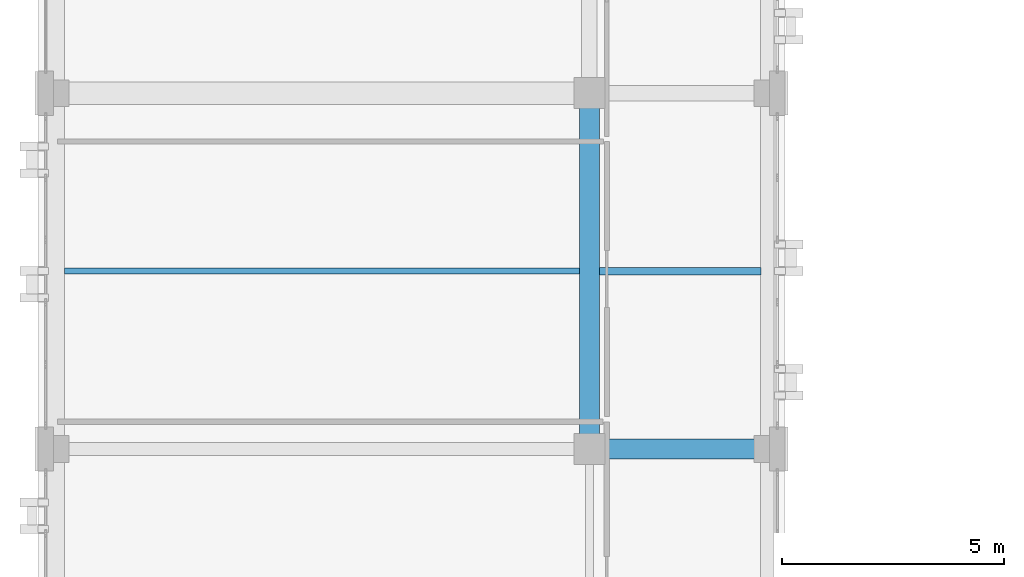
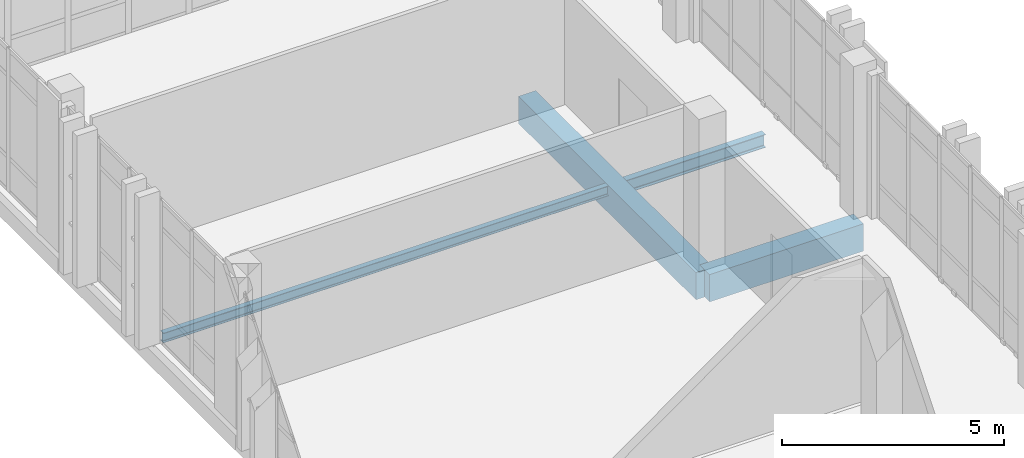
# One storey, part 14 of 48: 4 beams.
"""IFC4 building model written with IfcOpenShell, lengths in metres."""

from ifc_helpers import new_model, si_unit, direction, frame, origin, origin_2d, place, context, subcontext, project, spatial, rectangle, i_section, extrude, material, material_profile, profile_set, type_object, element, save


model = new_model("IFC4")

# Units and contexts
model_context = context("Model", 3, precision=1e-05, world=origin(), true_north=direction((0.0, 1.0)))
body_context = subcontext(model_context, "Body", "Model", "MODEL_VIEW")
ifc_project = project(units=[si_unit("LENGTHUNIT", "METRE"), si_unit("AREAUNIT", "SQUARE_METRE"), si_unit("VOLUMEUNIT", "CUBIC_METRE"), si_unit("PLANEANGLEUNIT", "RADIAN"), si_unit("MASSUNIT", "GRAM", prefix="KILO")], contexts=[model_context])

# Site, building, storey
site_placement = place(None, origin())
site = spatial("IfcSite", under=ifc_project, at=site_placement, CompositionType="ELEMENT")
building_placement = place(site_placement, origin())
building = spatial("IfcBuilding", under=site, at=building_placement, Name="Qalavern Law Courts", CompositionType="ELEMENT")
storey_placement = place(building_placement, frame((0.0, 0.0, 31.199951171875)))
storey = spatial("IfcBuildingStorey", under=building, at=storey_placement, Name="L07", CompositionType="ELEMENT", Elevation=31.199951171875)

# Beams
ifc_material_1 = material(Name="Concrete C40/50", Category="concrete")
ifc_material_profile_1 = material_profile(ifc_material_1, rectangle(XDim=0.449951171875, YDim=0.75, at=origin_2d()), Name="RC 450x750")
ifc_profile_set_1 = profile_set([ifc_material_profile_1], Name="Concrete C40/50")
beam_type_1 = type_object("IfcBeamType", Name="STR-BM-RC450x750", PredefinedType="BEAM", material=ifc_profile_set_1)
beam_1_placement = place(storey_placement, frame((14.39990234375, 65.39990234375, -0.639892578125), z_axis=(1.0, 0.0, 0.0), x_axis=(0.0, 1.0, 0.0)))
element("IfcBeam", 1, at=beam_1_placement, inside=storey, type_object=beam_type_1, Name="V3 X-beam 4-2 L07", PredefinedType="BEAM", context=body_context, shape_type="SweptSolid", body=[
    extrude(rectangle(XDim=0.449951171875, YDim=0.75, at=origin_2d()), origin(), (0.0, 0.0, 1.0), 4.0),
])
beam_2_placement = place(storey_placement, frame((14.39990234375, 65.39990234375, -0.639892578125), z_axis=(0.0, 1.0, 0.0), x_axis=(-1.0, 0.0, 0.0)))
element("IfcBeam", 2, at=beam_2_placement, inside=storey, type_object=beam_type_1, Name="V3 Y-beam 2-4 L07", PredefinedType="BEAM", context=body_context, shape_type="SweptSolid", body=[
    extrude(rectangle(XDim=0.449951171875, YDim=0.75, at=origin_2d()), origin(), (0.0, 0.0, 1.0), 8.0),
])
ifc_material_2 = material(Name="Steel S355", Category="steel")
ifc_material_profile_2 = material_profile(ifc_material_2, i_section(OverallWidth=0.135009765625, OverallDepth=0.27001953125, WebThickness=0.006591796875, FlangeThickness=0.01025390625, FilletRadius=0.014892578125, at=origin_2d()), Name="IPE 270")
ifc_profile_set_2 = profile_set([ifc_material_profile_2], Name="Steel S355")
beam_type_2 = type_object("IfcBeamType", Name="STR-JST-IPE270", PredefinedType="JOIST", material=ifc_profile_set_2)
beam_3_placement = place(storey_placement, frame((2.597900390625, 69.39990234375, -0.39990234375), z_axis=(1.0, 0.0, 0.0), x_axis=(0.0, 1.0, 0.0)))
element("IfcBeam", 3, at=beam_3_placement, inside=storey, type_object=beam_type_2, Name="V3 secondary joist 1.4.1 L07", PredefinedType="JOIST", context=body_context, shape_type="SweptSolid", body=[
    extrude(i_section(OverallWidth=0.135009765625, OverallDepth=0.27001953125, WebThickness=0.006591796875, FlangeThickness=0.01025390625, FilletRadius=0.014892578125, at=origin_2d()), origin(), (0.0, 0.0, 1.0), 11.5791015625),
])
ifc_material_profile_3 = material_profile(ifc_material_2, i_section(OverallWidth=0.169921875, OverallDepth=0.360107421875, WebThickness=0.008056640625, FlangeThickness=0.0126953125, FilletRadius=0.01806640625, at=origin_2d()), Name="IPE 360")
ifc_profile_set_3 = profile_set([ifc_material_profile_3], Name="Steel S355")
beam_type_3 = type_object("IfcBeamType", Name="STR-JST-IPE360", PredefinedType="JOIST", material=ifc_profile_set_3)
beam_4_placement = place(storey_placement, frame((14.623046875, 69.39990234375, -0.445068359375), z_axis=(1.0, 0.0, 0.0), x_axis=(0.0, 1.0, 0.0)))
element("IfcBeam", 4, at=beam_4_placement, inside=storey, type_object=beam_type_3, Name="V3 secondary joist 2.4.1 L07", PredefinedType="JOIST", context=body_context, shape_type="SweptSolid", body=[
    extrude(i_section(OverallWidth=0.169921875, OverallDepth=0.360107421875, WebThickness=0.008056640625, FlangeThickness=0.0126953125, FilletRadius=0.01806640625, at=origin_2d()), origin(), (0.0, 0.0, 1.0), 3.62890625),
])

save(model, "model.ifc")
